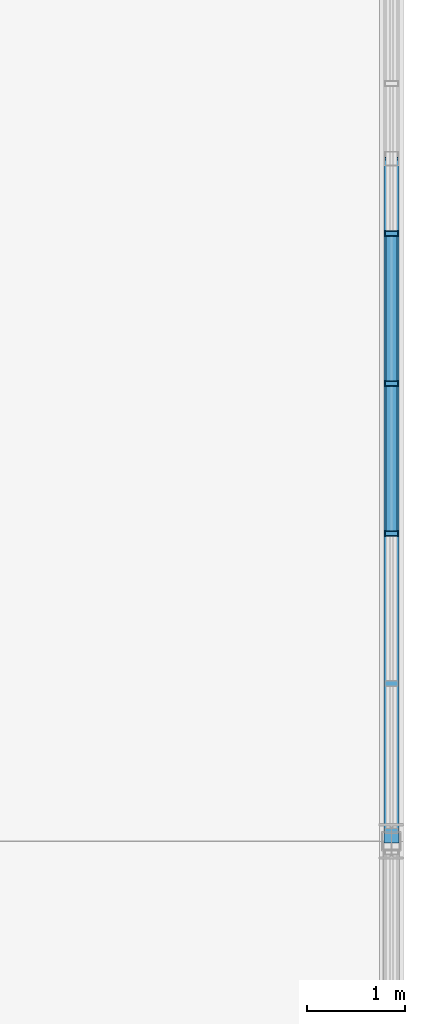
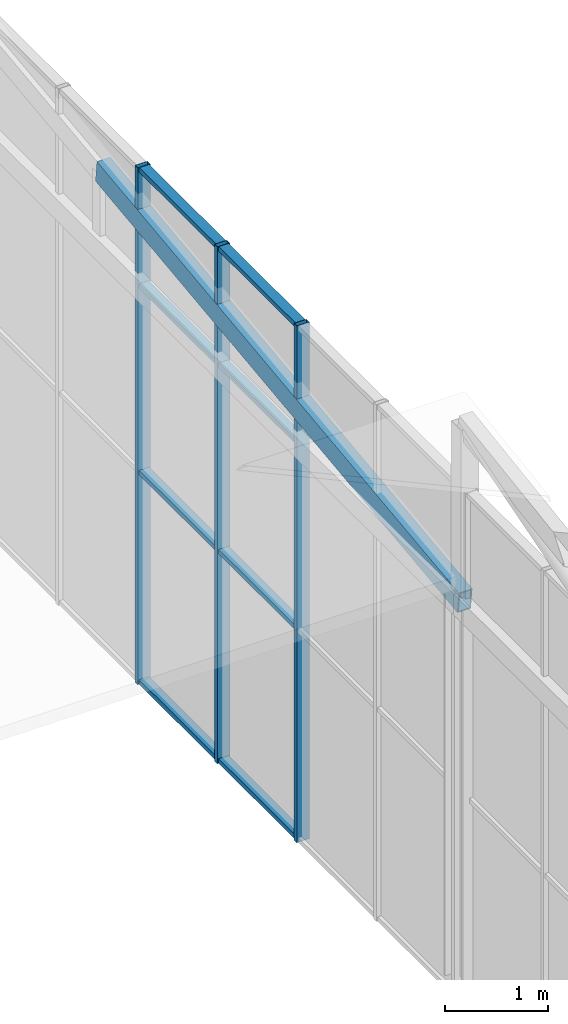
# One storey, part 68 of 104: 12 members, 1 element without a shape of its own.
"""IFC4 building model written with IfcOpenShell, lengths in metres."""

from ifc_helpers import new_model, si_unit, direction, frame, origin, origin_2d, place, context, subcontext, project, spatial, hollow_rectangle, extrude, material, layer, layer_set, material_profile, profile_set, type_object, element, aggregate, save


model = new_model("IFC4")

# Units and contexts
model_context = context("Model", 3, precision=1e-05, world=origin(), true_north=direction((0.0, 1.0)))
body_context = subcontext(model_context, "Body", "Model", "MODEL_VIEW")
ifc_project = project(units=[si_unit("LENGTHUNIT", "METRE"), si_unit("AREAUNIT", "SQUARE_METRE"), si_unit("VOLUMEUNIT", "CUBIC_METRE"), si_unit("PLANEANGLEUNIT", "RADIAN"), si_unit("MASSUNIT", "GRAM", prefix="KILO")], contexts=[model_context])

# Site, building, storey
site_placement = place(None, origin())
site = spatial("IfcSite", under=ifc_project, at=site_placement, CompositionType="ELEMENT")
building_placement = place(site_placement, origin())
building = spatial("IfcBuilding", under=site, at=building_placement, Name="Solvenia Promenade Tram Depot", CompositionType="ELEMENT")
storey_placement = place(building_placement, frame((0.0, 0.0, 9.0)))
storey = spatial("IfcBuildingStorey", under=building, at=storey_placement, Name="L02", CompositionType="ELEMENT", Elevation=9.0)

# Curtain wall, members
ifc_material_1 = material(Name="Anodized aluminium AW-6063 T6", Category="aluminium")
ifc_layer = layer(ifc_material_1, 0.080078125, Name="Anodized aluminium AW-6063 T6", Category="aluminium")
ifc_layer_set = layer_set([ifc_layer], Name="Anodized aluminium AW-6063 T6")
curtain_wall_type = type_object("IfcCurtainWallType", Name="CW-Clerest-1500", PredefinedType="NOTDEFINED", material=ifc_layer_set)
curtain_wall_placement = place(storey_placement, origin())
curtain_wall = element("IfcCurtainWall", 1, at=curtain_wall_placement, inside=storey, type_object=curtain_wall_type, Name="Curtain Wall CW-V2E-L2-2", PredefinedType="NOTDEFINED")
ifc_material_profile_1 = material_profile(ifc_material_1, hollow_rectangle(XDim=0.139892578125, YDim=0.054931640625, WallThickness=0.00390625, at=origin_2d()), Name="ALU-M4", Category="aluminium")
ifc_profile_set_1 = profile_set([ifc_material_profile_1], Name="Anodized aluminium AW-6063 T6")
member_type_1 = type_object("IfcMemberType", Name="CWM-Mullion-4", PredefinedType="MULLION", material=ifc_profile_set_1)
member_1_placement = place(storey_placement, frame((186.0, 41.155517578125, -0.25), z_axis=(0.0, 0.0, 1.0), x_axis=(-1.0, 0.0, 0.0)))
member_1 = element("IfcMember", 2, at=member_1_placement, type_object=member_type_1, Name="CW-4 mullion 3", PredefinedType="MULLION", context=body_context, shape_type="SweptSolid", body=[
    extrude(hollow_rectangle(XDim=0.139892578125, YDim=0.054931640625, WallThickness=0.00390625, at=origin_2d()), origin(), (0.0, 0.0, 1.0), 6.10009765625),
])
member_2_placement = place(storey_placement, frame((186.0, 42.693359375, -0.25), z_axis=(0.0, 0.0, 1.0), x_axis=(-1.0, 0.0, 0.0)))
member_2 = element("IfcMember", 3, at=member_2_placement, type_object=member_type_1, Name="CW-4 mullion 4", PredefinedType="MULLION", context=body_context, shape_type="SweptSolid", body=[
    extrude(hollow_rectangle(XDim=0.139892578125, YDim=0.054931640625, WallThickness=0.00390625, at=origin_2d()), origin(), (0.0, 0.0, 1.0), 6.10009765625),
])
member_3_placement = place(storey_placement, frame((186.0, 44.231201171875, -0.25), z_axis=(0.0, 0.0, 1.0), x_axis=(-1.0, 0.0, 0.0)))
member_3 = element("IfcMember", 4, at=member_3_placement, type_object=member_type_1, Name="CW-4 mullion 5", PredefinedType="MULLION", context=body_context, shape_type="SweptSolid", body=[
    extrude(hollow_rectangle(XDim=0.139892578125, YDim=0.054931640625, WallThickness=0.00390625, at=origin_2d()), origin(), (0.0, 0.0, 1.0), 6.10009765625),
])
ifc_material_profile_2 = material_profile(ifc_material_1, hollow_rectangle(XDim=0.110107421875, YDim=0.054931640625, WallThickness=0.00390625, at=origin_2d()), Name="ALU-T4", Category="aluminium")
ifc_profile_set_2 = profile_set([ifc_material_profile_2], Name="Anodized aluminium AW-6063 T6")
member_type_2 = type_object("IfcMemberType", Name="CWT-Transom-4", PredefinedType="USERDEFINED", material=ifc_profile_set_2)
member_4_placement = place(storey_placement, frame((186.0, 41.18310546875, -0.222412109375), z_axis=(0.0, 1.0, 0.0), x_axis=(-1.0, 0.0, 0.0)))
member_4 = element("IfcMember", 5, at=member_4_placement, type_object=member_type_2, Name="CW-4 transom 3.1", ObjectType="TRANSOM", PredefinedType="USERDEFINED", context=body_context, shape_type="SweptSolid", body=[
    extrude(hollow_rectangle(XDim=0.110107421875, YDim=0.054931640625, WallThickness=0.00390625, at=origin_2d()), origin(), (0.0, 0.0, 1.0), 1.482666015625),
])
member_5_placement = place(storey_placement, frame((186.0, 41.18310546875, 2.25), z_axis=(0.0, 1.0, 0.0), x_axis=(-1.0, 0.0, 0.0)))
member_5 = element("IfcMember", 6, at=member_5_placement, type_object=member_type_2, Name="CW-4 transom 3.2", ObjectType="TRANSOM", PredefinedType="USERDEFINED", context=body_context, shape_type="SweptSolid", body=[
    extrude(hollow_rectangle(XDim=0.110107421875, YDim=0.054931640625, WallThickness=0.00390625, at=origin_2d()), origin(), (0.0, 0.0, 1.0), 1.482666015625),
])
member_6_placement = place(storey_placement, frame((186.0, 41.18310546875, 4.449951171875), z_axis=(0.0, 1.0, 0.0), x_axis=(-1.0, 0.0, 0.0)))
member_6 = element("IfcMember", 7, at=member_6_placement, type_object=member_type_2, Name="CW-4 transom 3.3", ObjectType="TRANSOM", PredefinedType="USERDEFINED", context=body_context, shape_type="SweptSolid", body=[
    extrude(hollow_rectangle(XDim=0.110107421875, YDim=0.054931640625, WallThickness=0.00390625, at=origin_2d()), origin(), (0.0, 0.0, 1.0), 1.482666015625),
])
member_7_placement = place(storey_placement, frame((186.0, 41.18310546875, 5.822509765625), z_axis=(0.0, 1.0, 0.0), x_axis=(-1.0, 0.0, 0.0)))
member_7 = element("IfcMember", 8, at=member_7_placement, type_object=member_type_2, Name="CW-4 transom 3.4", ObjectType="TRANSOM", PredefinedType="USERDEFINED", context=body_context, shape_type="SweptSolid", body=[
    extrude(hollow_rectangle(XDim=0.110107421875, YDim=0.054931640625, WallThickness=0.00390625, at=origin_2d()), origin(), (0.0, 0.0, 1.0), 1.482666015625),
])
member_8_placement = place(storey_placement, frame((186.0, 42.720947265625, -0.222412109375), z_axis=(0.0, 1.0, 0.0), x_axis=(-1.0, 0.0, 0.0)))
member_8 = element("IfcMember", 9, at=member_8_placement, type_object=member_type_2, Name="CW-4 transom 4.1", ObjectType="TRANSOM", PredefinedType="USERDEFINED", context=body_context, shape_type="SweptSolid", body=[
    extrude(hollow_rectangle(XDim=0.110107421875, YDim=0.054931640625, WallThickness=0.00390625, at=origin_2d()), origin(), (0.0, 0.0, 1.0), 1.482666015625),
])
member_9_placement = place(storey_placement, frame((186.0, 42.720947265625, 2.25), z_axis=(0.0, 1.0, 0.0), x_axis=(-1.0, 0.0, 0.0)))
member_9 = element("IfcMember", 10, at=member_9_placement, type_object=member_type_2, Name="CW-4 transom 4.2", ObjectType="TRANSOM", PredefinedType="USERDEFINED", context=body_context, shape_type="SweptSolid", body=[
    extrude(hollow_rectangle(XDim=0.110107421875, YDim=0.054931640625, WallThickness=0.00390625, at=origin_2d()), origin(), (0.0, 0.0, 1.0), 1.482666015625),
])
member_10_placement = place(storey_placement, frame((186.0, 42.720947265625, 4.449951171875), z_axis=(0.0, 1.0, 0.0), x_axis=(-1.0, 0.0, 0.0)))
member_10 = element("IfcMember", 11, at=member_10_placement, type_object=member_type_2, Name="CW-4 transom 4.3", ObjectType="TRANSOM", PredefinedType="USERDEFINED", context=body_context, shape_type="SweptSolid", body=[
    extrude(hollow_rectangle(XDim=0.110107421875, YDim=0.054931640625, WallThickness=0.00390625, at=origin_2d()), origin(), (0.0, 0.0, 1.0), 1.482666015625),
])
member_11_placement = place(storey_placement, frame((186.0, 42.720947265625, 5.822509765625), z_axis=(0.0, 1.0, 0.0), x_axis=(-1.0, 0.0, 0.0)))
member_11 = element("IfcMember", 12, at=member_11_placement, type_object=member_type_2, Name="CW-4 transom 4.4", ObjectType="TRANSOM", PredefinedType="USERDEFINED", context=body_context, shape_type="SweptSolid", body=[
    extrude(hollow_rectangle(XDim=0.110107421875, YDim=0.054931640625, WallThickness=0.00390625, at=origin_2d()), origin(), (0.0, 0.0, 1.0), 1.482666015625),
])
aggregate(curtain_wall, [member_1, member_2, member_3, member_4, member_5, member_6, member_7, member_8, member_9, member_10, member_11])

# Member
ifc_material_2 = material(Name="Structural steel ASTM A500 Gr. C", Category="steel")
ifc_material_profile_3 = material_profile(ifc_material_2, hollow_rectangle(XDim=0.14990234375, YDim=0.25, WallThickness=0.010009765625, at=origin_2d()), Name="HSS250x150x10", Category="steel")
ifc_profile_set_3 = profile_set([ifc_material_profile_3], Name="Structural steel ASTM A500 Gr. C")
member_type_3 = type_object("IfcMemberType", Name="Chord-HSS250x150x10", PredefinedType="CHORD", material=ifc_profile_set_3)
member_12_placement = place(storey_placement, frame((186.0, 38.0, 4.47998046875), z_axis=(0.0, 0.992706434156, 0.120556773289), x_axis=(-1.0, 0.0, 0.0)))
element("IfcMember", 13, at=member_12_placement, inside=storey, type_object=member_type_3, Name="Workshop Sawtooth Rafter 1-10S", PredefinedType="CHORD", context=body_context, shape_type="SweptSolid", body=[
    extrude(hollow_rectangle(XDim=0.14990234375, YDim=0.25, WallThickness=0.010009765625, at=origin_2d()), origin(), (0.0, 0.0, 1.0), 7.051513671875),
])

save(model, "model.ifc")
